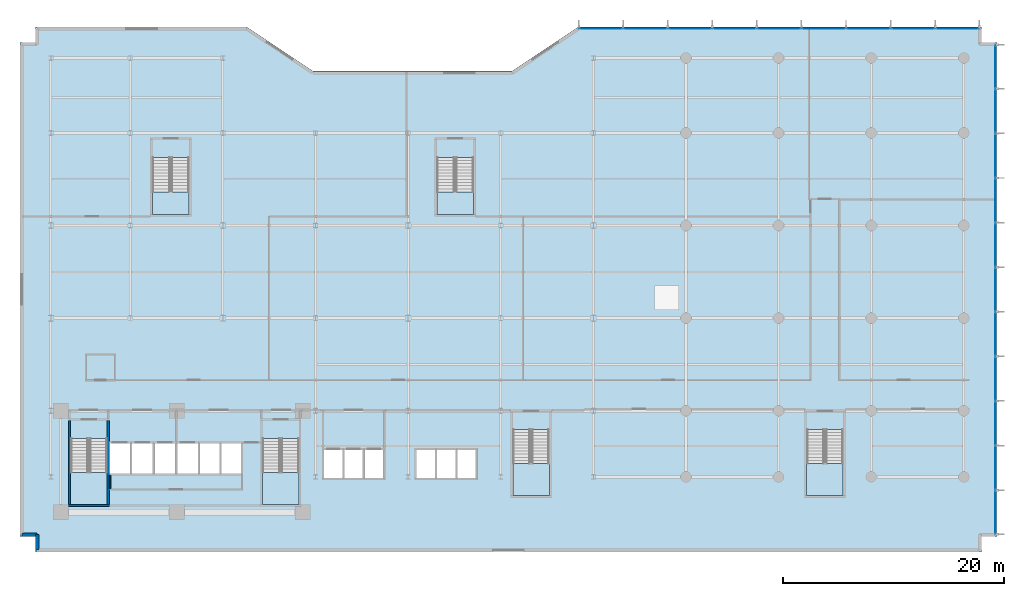
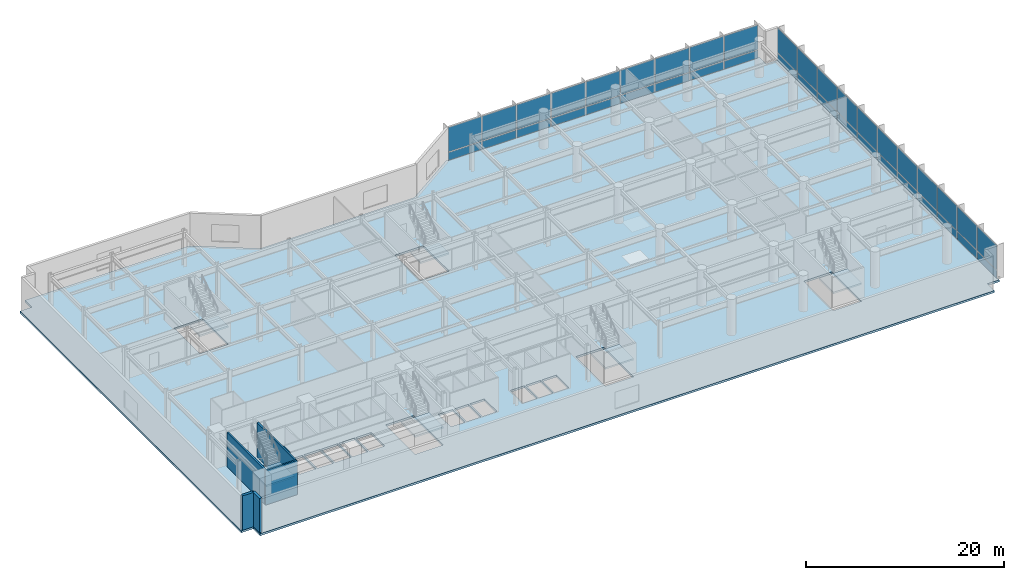
# One storey, part 13 of 26: 40 plates, 7 slabs, 6 walls, 8 elements without a shape of their own.
"""IFC4 building model written with IfcOpenShell, lengths in metres."""

from ifc_helpers import new_model, si_unit, direction, frame, frame_2d, origin, origin_2d, place, context, subcontext, project, spatial, polyline, rectangle, outline, extrude, material, layer, layer_set, type_object, element, aggregate, save


model = new_model("IFC4")

# Units and contexts
model_context = context("Model", 3, precision=1e-05, world=origin(), true_north=direction((0.0, 1.0)))
body_context = subcontext(model_context, "Body", "Model", "MODEL_VIEW")
ifc_project = project(units=[si_unit("LENGTHUNIT", "METRE"), si_unit("AREAUNIT", "SQUARE_METRE"), si_unit("VOLUMEUNIT", "CUBIC_METRE"), si_unit("PLANEANGLEUNIT", "RADIAN"), si_unit("MASSUNIT", "GRAM", prefix="KILO")], contexts=[model_context])

# Site, building, storey
site_placement = place(None, origin())
site = spatial("IfcSite", under=ifc_project, at=site_placement, CompositionType="ELEMENT")
building_placement = place(site_placement, origin())
building = spatial("IfcBuilding", under=site, at=building_placement, Name="Varnakote Quay Hospital", CompositionType="ELEMENT")
storey_placement = place(building_placement, frame((0.0, 0.0, 9.0)))
storey = spatial("IfcBuildingStorey", under=building, at=storey_placement, Name="L02", CompositionType="ELEMENT", Elevation=9.0)

# Curtain wall, plates
ifc_material_1 = material(Name="Anodised aluminium 6063-T6 Bronze", Category="aluminium")
ifc_layer_1 = layer(ifc_material_1, 0.175048828125)
ifc_layer_set_1 = layer_set([ifc_layer_1], Name="Anodised aluminium 6063-T6 Bronze")
curtain_wall_type = type_object("IfcCurtainWallType", Name="CW-SYS-1", PredefinedType="NOTDEFINED", material=ifc_layer_set_1)
curtain_wall_1_placement = place(storey_placement, origin())
curtain_wall_1 = element("IfcCurtainWall", 1, at=curtain_wall_1_placement, inside=storey, type_object=curtain_wall_type, Name="L02 Unitised Bronze Curtain Wall 1", PredefinedType="NOTDEFINED")
ifc_material_2 = material(Name="Double-glazed acoustic laminated glass", Category="glass")
ifc_layer_2 = layer(ifc_material_2, 0.031982421875)
ifc_layer_set_2 = layer_set([ifc_layer_2], Name="Double-glazed acoustic laminated glass")
plate_type = type_object("IfcPlateType", Name="CW-PNL-GLZ-32", PredefinedType="CURTAIN_PANEL", material=ifc_layer_set_2)
plate_1_placement = place(storey_placement, frame((86.840087890625, 2.802978515625, 0.0849609375), z_axis=(0.0, 0.0, 1.0), x_axis=(0.0, 1.0, 0.0)))
plate_1 = element("IfcPlate", 2, at=plate_1_placement, type_object=plate_type, Name="-1-L02-1 panel 1.1", PredefinedType="CURTAIN_PANEL", context=body_context, shape_type="SweptSolid", body=[
    extrude(rectangle(XDim=3.916015625, YDim=0.031982421875, at=origin_2d()), origin(), (0.0, 0.0, 1.0), 0.972412109375),
])
plate_2_placement = place(storey_placement, frame((86.840087890625, 2.802978515625, 1.142578125), z_axis=(0.0, 0.0, 1.0), x_axis=(0.0, 1.0, 0.0)))
plate_2 = element("IfcPlate", 3, at=plate_2_placement, type_object=plate_type, Name="-1-L02-1 panel 1.2", PredefinedType="CURTAIN_PANEL", context=body_context, shape_type="SweptSolid", body=[
    extrude(rectangle(XDim=3.916015625, YDim=0.031982421875, at=origin_2d()), origin(), (0.0, 0.0, 1.0), 3.0224609375),
])
plate_3_placement = place(storey_placement, frame((86.840087890625, 6.825439453125, 0.0849609375), z_axis=(0.0, 0.0, 1.0), x_axis=(0.0, 1.0, 0.0)))
plate_3 = element("IfcPlate", 4, at=plate_3_placement, type_object=plate_type, Name="-1-L02-1 panel 2.1", PredefinedType="CURTAIN_PANEL", context=body_context, shape_type="SweptSolid", body=[
    extrude(rectangle(XDim=3.958740234375, YDim=0.031982421875, at=origin_2d()), origin(), (0.0, 0.0, 1.0), 0.972412109375),
])
plate_4_placement = place(storey_placement, frame((86.840087890625, 6.825439453125, 1.142578125), z_axis=(0.0, 0.0, 1.0), x_axis=(0.0, 1.0, 0.0)))
plate_4 = element("IfcPlate", 5, at=plate_4_placement, type_object=plate_type, Name="-1-L02-1 panel 2.2", PredefinedType="CURTAIN_PANEL", context=body_context, shape_type="SweptSolid", body=[
    extrude(rectangle(XDim=3.958740234375, YDim=0.031982421875, at=origin_2d()), origin(), (0.0, 0.0, 1.0), 3.0224609375),
])
plate_5_placement = place(storey_placement, frame((86.840087890625, 10.869140625, 0.0849609375), z_axis=(0.0, 0.0, 1.0), x_axis=(0.0, 1.0, 0.0)))
plate_5 = element("IfcPlate", 6, at=plate_5_placement, type_object=plate_type, Name="-1-L02-1 panel 3.1", PredefinedType="CURTAIN_PANEL", context=body_context, shape_type="SweptSolid", body=[
    extrude(rectangle(XDim=3.958740234375, YDim=0.031982421875, at=origin_2d()), origin(), (0.0, 0.0, 1.0), 0.972412109375),
])
plate_6_placement = place(storey_placement, frame((86.840087890625, 10.869140625, 1.142578125), z_axis=(0.0, 0.0, 1.0), x_axis=(0.0, 1.0, 0.0)))
plate_6 = element("IfcPlate", 7, at=plate_6_placement, type_object=plate_type, Name="-1-L02-1 panel 3.2", PredefinedType="CURTAIN_PANEL", context=body_context, shape_type="SweptSolid", body=[
    extrude(rectangle(XDim=3.958740234375, YDim=0.031982421875, at=origin_2d()), origin(), (0.0, 0.0, 1.0), 3.0224609375),
])
plate_7_placement = place(storey_placement, frame((86.840087890625, 14.912841796875, 0.0849609375), z_axis=(0.0, 0.0, 1.0), x_axis=(0.0, 1.0, 0.0)))
plate_7 = element("IfcPlate", 8, at=plate_7_placement, type_object=plate_type, Name="-1-L02-1 panel 4.1", PredefinedType="CURTAIN_PANEL", context=body_context, shape_type="SweptSolid", body=[
    extrude(rectangle(XDim=3.958740234375, YDim=0.031982421875, at=origin_2d()), origin(), (0.0, 0.0, 1.0), 0.972412109375),
])
plate_8_placement = place(storey_placement, frame((86.840087890625, 14.912841796875, 1.142578125), z_axis=(0.0, 0.0, 1.0), x_axis=(0.0, 1.0, 0.0)))
plate_8 = element("IfcPlate", 9, at=plate_8_placement, type_object=plate_type, Name="-1-L02-1 panel 4.2", PredefinedType="CURTAIN_PANEL", context=body_context, shape_type="SweptSolid", body=[
    extrude(rectangle(XDim=3.958740234375, YDim=0.031982421875, at=origin_2d()), origin(), (0.0, 0.0, 1.0), 3.0224609375),
])
plate_9_placement = place(storey_placement, frame((86.840087890625, 18.956298828125, 0.0849609375), z_axis=(0.0, 0.0, 1.0), x_axis=(0.0, 1.0, 0.0)))
plate_9 = element("IfcPlate", 10, at=plate_9_placement, type_object=plate_type, Name="-1-L02-1 panel 5.1", PredefinedType="CURTAIN_PANEL", context=body_context, shape_type="SweptSolid", body=[
    extrude(rectangle(XDim=3.958740234375, YDim=0.031982421875, at=origin_2d()), origin(), (0.0, 0.0, 1.0), 0.972412109375),
])
plate_10_placement = place(storey_placement, frame((86.840087890625, 18.956298828125, 1.142578125), z_axis=(0.0, 0.0, 1.0), x_axis=(0.0, 1.0, 0.0)))
plate_10 = element("IfcPlate", 11, at=plate_10_placement, type_object=plate_type, Name="-1-L02-1 panel 5.2", PredefinedType="CURTAIN_PANEL", context=body_context, shape_type="SweptSolid", body=[
    extrude(rectangle(XDim=3.958740234375, YDim=0.031982421875, at=origin_2d()), origin(), (0.0, 0.0, 1.0), 3.0224609375),
])
plate_11_placement = place(storey_placement, frame((86.840087890625, 23.0, 0.0849609375), z_axis=(0.0, 0.0, 1.0), x_axis=(0.0, 1.0, 0.0)))
plate_11 = element("IfcPlate", 12, at=plate_11_placement, type_object=plate_type, Name="-1-L02-1 panel 6.1", PredefinedType="CURTAIN_PANEL", context=body_context, shape_type="SweptSolid", body=[
    extrude(rectangle(XDim=3.958740234375, YDim=0.031982421875, at=origin_2d()), origin(), (0.0, 0.0, 1.0), 0.972412109375),
])
plate_12_placement = place(storey_placement, frame((86.840087890625, 23.0, 1.142578125), z_axis=(0.0, 0.0, 1.0), x_axis=(0.0, 1.0, 0.0)))
plate_12 = element("IfcPlate", 13, at=plate_12_placement, type_object=plate_type, Name="-1-L02-1 panel 6.2", PredefinedType="CURTAIN_PANEL", context=body_context, shape_type="SweptSolid", body=[
    extrude(rectangle(XDim=3.958740234375, YDim=0.031982421875, at=origin_2d()), origin(), (0.0, 0.0, 1.0), 3.0224609375),
])
plate_13_placement = place(storey_placement, frame((86.840087890625, 27.043701171875, 0.0849609375), z_axis=(0.0, 0.0, 1.0), x_axis=(0.0, 1.0, 0.0)))
plate_13 = element("IfcPlate", 14, at=plate_13_placement, type_object=plate_type, Name="-1-L02-1 panel 7.1", PredefinedType="CURTAIN_PANEL", context=body_context, shape_type="SweptSolid", body=[
    extrude(rectangle(XDim=3.958740234375, YDim=0.031982421875, at=origin_2d()), origin(), (0.0, 0.0, 1.0), 0.972412109375),
])
plate_14_placement = place(storey_placement, frame((86.840087890625, 27.043701171875, 1.142578125), z_axis=(0.0, 0.0, 1.0), x_axis=(0.0, 1.0, 0.0)))
plate_14 = element("IfcPlate", 15, at=plate_14_placement, type_object=plate_type, Name="-1-L02-1 panel 7.2", PredefinedType="CURTAIN_PANEL", context=body_context, shape_type="SweptSolid", body=[
    extrude(rectangle(XDim=3.958740234375, YDim=0.031982421875, at=origin_2d()), origin(), (0.0, 0.0, 1.0), 3.0224609375),
])
plate_15_placement = place(storey_placement, frame((86.840087890625, 31.087158203125, 0.0849609375), z_axis=(0.0, 0.0, 1.0), x_axis=(0.0, 1.0, 0.0)))
plate_15 = element("IfcPlate", 16, at=plate_15_placement, type_object=plate_type, Name="-1-L02-1 panel 8.1", PredefinedType="CURTAIN_PANEL", context=body_context, shape_type="SweptSolid", body=[
    extrude(rectangle(XDim=3.958740234375, YDim=0.031982421875, at=origin_2d()), origin(), (0.0, 0.0, 1.0), 0.972412109375),
])
plate_16_placement = place(storey_placement, frame((86.840087890625, 31.087158203125, 1.142578125), z_axis=(0.0, 0.0, 1.0), x_axis=(0.0, 1.0, 0.0)))
plate_16 = element("IfcPlate", 17, at=plate_16_placement, type_object=plate_type, Name="-1-L02-1 panel 8.2", PredefinedType="CURTAIN_PANEL", context=body_context, shape_type="SweptSolid", body=[
    extrude(rectangle(XDim=3.958740234375, YDim=0.031982421875, at=origin_2d()), origin(), (0.0, 0.0, 1.0), 3.0224609375),
])
plate_17_placement = place(storey_placement, frame((86.840087890625, 35.130859375, 0.0849609375), z_axis=(0.0, 0.0, 1.0), x_axis=(0.0, 1.0, 0.0)))
plate_17 = element("IfcPlate", 18, at=plate_17_placement, type_object=plate_type, Name="-1-L02-1 panel 9.1", PredefinedType="CURTAIN_PANEL", context=body_context, shape_type="SweptSolid", body=[
    extrude(rectangle(XDim=3.958740234375, YDim=0.031982421875, at=origin_2d()), origin(), (0.0, 0.0, 1.0), 0.972412109375),
])
plate_18_placement = place(storey_placement, frame((86.840087890625, 35.130859375, 1.142578125), z_axis=(0.0, 0.0, 1.0), x_axis=(0.0, 1.0, 0.0)))
plate_18 = element("IfcPlate", 19, at=plate_18_placement, type_object=plate_type, Name="-1-L02-1 panel 9.2", PredefinedType="CURTAIN_PANEL", context=body_context, shape_type="SweptSolid", body=[
    extrude(rectangle(XDim=3.958740234375, YDim=0.031982421875, at=origin_2d()), origin(), (0.0, 0.0, 1.0), 3.0224609375),
])
plate_19_placement = place(storey_placement, frame((86.840087890625, 39.174560546875, 0.0849609375), z_axis=(0.0, 0.0, 1.0), x_axis=(0.0, 1.0, 0.0)))
plate_19 = element("IfcPlate", 20, at=plate_19_placement, type_object=plate_type, Name="-1-L02-1 panel 10.1", PredefinedType="CURTAIN_PANEL", context=body_context, shape_type="SweptSolid", body=[
    extrude(rectangle(XDim=3.958740234375, YDim=0.031982421875, at=origin_2d()), origin(), (0.0, 0.0, 1.0), 0.972412109375),
])
plate_20_placement = place(storey_placement, frame((86.840087890625, 39.174560546875, 1.142578125), z_axis=(0.0, 0.0, 1.0), x_axis=(0.0, 1.0, 0.0)))
plate_20 = element("IfcPlate", 21, at=plate_20_placement, type_object=plate_type, Name="-1-L02-1 panel 10.2", PredefinedType="CURTAIN_PANEL", context=body_context, shape_type="SweptSolid", body=[
    extrude(rectangle(XDim=3.958740234375, YDim=0.031982421875, at=origin_2d()), origin(), (0.0, 0.0, 1.0), 3.0224609375),
])
plate_21_placement = place(storey_placement, frame((86.840087890625, 43.197021484375, 0.0849609375), z_axis=(0.0, 0.0, 1.0), x_axis=(0.0, 1.0, 0.0)))
plate_21 = element("IfcPlate", 22, at=plate_21_placement, type_object=plate_type, Name="-1-L02-1 panel 11.1", PredefinedType="CURTAIN_PANEL", context=body_context, shape_type="SweptSolid", body=[
    extrude(rectangle(XDim=3.916015625, YDim=0.031982421875, at=origin_2d()), origin(), (0.0, 0.0, 1.0), 0.972412109375),
])
plate_22_placement = place(storey_placement, frame((86.840087890625, 43.197021484375, 1.142578125), z_axis=(0.0, 0.0, 1.0), x_axis=(0.0, 1.0, 0.0)))
plate_22 = element("IfcPlate", 23, at=plate_22_placement, type_object=plate_type, Name="-1-L02-1 panel 11.2", PredefinedType="CURTAIN_PANEL", context=body_context, shape_type="SweptSolid", body=[
    extrude(rectangle(XDim=3.916015625, YDim=0.031982421875, at=origin_2d()), origin(), (0.0, 0.0, 1.0), 3.0224609375),
])
aggregate(curtain_wall_1, [plate_1, plate_2, plate_3, plate_4, plate_5, plate_6, plate_7, plate_8, plate_9, plate_10, plate_11, plate_12, plate_13, plate_14, plate_15, plate_16, plate_17, plate_18, plate_19, plate_20, plate_21, plate_22])

curtain_wall_2_placement = place(storey_placement, origin())
curtain_wall_2 = element("IfcCurtainWall", 24, at=curtain_wall_2_placement, inside=storey, type_object=curtain_wall_type, Name="L02 Unitised Bronze Curtain Wall 2", PredefinedType="NOTDEFINED")
plate_23_placement = place(storey_placement, frame((83.39697265625, 46.639892578125, 0.0849609375), z_axis=(0.0, 0.0, 1.0), x_axis=(-1.0, 0.0, 0.0)))
plate_23 = element("IfcPlate", 25, at=plate_23_placement, type_object=plate_type, Name="-1-L02-2 panel 1.1", PredefinedType="CURTAIN_PANEL", context=body_context, shape_type="SweptSolid", body=[
    extrude(rectangle(XDim=3.916015625, YDim=0.031982421875, at=origin_2d()), origin(), (0.0, 0.0, 1.0), 0.972412109375),
])
plate_24_placement = place(storey_placement, frame((83.39697265625, 46.639892578125, 1.142578125), z_axis=(0.0, 0.0, 1.0), x_axis=(-1.0, 0.0, 0.0)))
plate_24 = element("IfcPlate", 26, at=plate_24_placement, type_object=plate_type, Name="-1-L02-2 panel 1.2", PredefinedType="CURTAIN_PANEL", context=body_context, shape_type="SweptSolid", body=[
    extrude(rectangle(XDim=3.916015625, YDim=0.031982421875, at=origin_2d()), origin(), (0.0, 0.0, 1.0), 3.0224609375),
])
plate_25_placement = place(storey_placement, frame((79.374755859375, 46.639892578125, 0.0849609375), z_axis=(0.0, 0.0, 1.0), x_axis=(-1.0, 0.0, 0.0)))
plate_25 = element("IfcPlate", 27, at=plate_25_placement, type_object=plate_type, Name="-1-L02-2 panel 2.1", PredefinedType="CURTAIN_PANEL", context=body_context, shape_type="SweptSolid", body=[
    extrude(rectangle(XDim=3.95849609375, YDim=0.031982421875, at=origin_2d()), origin(), (0.0, 0.0, 1.0), 0.972412109375),
])
plate_26_placement = place(storey_placement, frame((79.374755859375, 46.639892578125, 1.142578125), z_axis=(0.0, 0.0, 1.0), x_axis=(-1.0, 0.0, 0.0)))
plate_26 = element("IfcPlate", 28, at=plate_26_placement, type_object=plate_type, Name="-1-L02-2 panel 2.2", PredefinedType="CURTAIN_PANEL", context=body_context, shape_type="SweptSolid", body=[
    extrude(rectangle(XDim=3.95849609375, YDim=0.031982421875, at=origin_2d()), origin(), (0.0, 0.0, 1.0), 3.0224609375),
])
plate_27_placement = place(storey_placement, frame((75.331298828125, 46.639892578125, 0.0849609375), z_axis=(0.0, 0.0, 1.0), x_axis=(-1.0, 0.0, 0.0)))
plate_27 = element("IfcPlate", 29, at=plate_27_placement, type_object=plate_type, Name="-1-L02-2 panel 3.1", PredefinedType="CURTAIN_PANEL", context=body_context, shape_type="SweptSolid", body=[
    extrude(rectangle(XDim=3.95849609375, YDim=0.031982421875, at=origin_2d()), origin(), (0.0, 0.0, 1.0), 0.972412109375),
])
plate_28_placement = place(storey_placement, frame((75.331298828125, 46.639892578125, 1.142578125), z_axis=(0.0, 0.0, 1.0), x_axis=(-1.0, 0.0, 0.0)))
plate_28 = element("IfcPlate", 30, at=plate_28_placement, type_object=plate_type, Name="-1-L02-2 panel 3.2", PredefinedType="CURTAIN_PANEL", context=body_context, shape_type="SweptSolid", body=[
    extrude(rectangle(XDim=3.95849609375, YDim=0.031982421875, at=origin_2d()), origin(), (0.0, 0.0, 1.0), 3.0224609375),
])
plate_29_placement = place(storey_placement, frame((71.28759765625, 46.639892578125, 0.0849609375), z_axis=(0.0, 0.0, 1.0), x_axis=(-1.0, 0.0, 0.0)))
plate_29 = element("IfcPlate", 31, at=plate_29_placement, type_object=plate_type, Name="-1-L02-2 panel 4.1", PredefinedType="CURTAIN_PANEL", context=body_context, shape_type="SweptSolid", body=[
    extrude(rectangle(XDim=3.95849609375, YDim=0.031982421875, at=origin_2d()), origin(), (0.0, 0.0, 1.0), 0.972412109375),
])
plate_30_placement = place(storey_placement, frame((71.28759765625, 46.639892578125, 1.142578125), z_axis=(0.0, 0.0, 1.0), x_axis=(-1.0, 0.0, 0.0)))
plate_30 = element("IfcPlate", 32, at=plate_30_placement, type_object=plate_type, Name="-1-L02-2 panel 4.2", PredefinedType="CURTAIN_PANEL", context=body_context, shape_type="SweptSolid", body=[
    extrude(rectangle(XDim=3.95849609375, YDim=0.031982421875, at=origin_2d()), origin(), (0.0, 0.0, 1.0), 3.0224609375),
])
plate_31_placement = place(storey_placement, frame((67.244140625, 46.639892578125, 0.0849609375), z_axis=(0.0, 0.0, 1.0), x_axis=(-1.0, 0.0, 0.0)))
plate_31 = element("IfcPlate", 33, at=plate_31_placement, type_object=plate_type, Name="-1-L02-2 panel 5.1", PredefinedType="CURTAIN_PANEL", context=body_context, shape_type="SweptSolid", body=[
    extrude(rectangle(XDim=3.95849609375, YDim=0.031982421875, at=origin_2d()), origin(), (0.0, 0.0, 1.0), 0.972412109375),
])
plate_32_placement = place(storey_placement, frame((67.244140625, 46.639892578125, 1.142578125), z_axis=(0.0, 0.0, 1.0), x_axis=(-1.0, 0.0, 0.0)))
plate_32 = element("IfcPlate", 34, at=plate_32_placement, type_object=plate_type, Name="-1-L02-2 panel 5.2", PredefinedType="CURTAIN_PANEL", context=body_context, shape_type="SweptSolid", body=[
    extrude(rectangle(XDim=3.95849609375, YDim=0.031982421875, at=origin_2d()), origin(), (0.0, 0.0, 1.0), 3.0224609375),
])
plate_33_placement = place(storey_placement, frame((63.20068359375, 46.639892578125, 0.0849609375), z_axis=(0.0, 0.0, 1.0), x_axis=(-1.0, 0.0, 0.0)))
plate_33 = element("IfcPlate", 35, at=plate_33_placement, type_object=plate_type, Name="-1-L02-2 panel 6.1", PredefinedType="CURTAIN_PANEL", context=body_context, shape_type="SweptSolid", body=[
    extrude(rectangle(XDim=3.95849609375, YDim=0.031982421875, at=origin_2d()), origin(), (0.0, 0.0, 1.0), 0.972412109375),
])
plate_34_placement = place(storey_placement, frame((63.20068359375, 46.639892578125, 1.142578125), z_axis=(0.0, 0.0, 1.0), x_axis=(-1.0, 0.0, 0.0)))
plate_34 = element("IfcPlate", 36, at=plate_34_placement, type_object=plate_type, Name="-1-L02-2 panel 6.2", PredefinedType="CURTAIN_PANEL", context=body_context, shape_type="SweptSolid", body=[
    extrude(rectangle(XDim=3.95849609375, YDim=0.031982421875, at=origin_2d()), origin(), (0.0, 0.0, 1.0), 3.0224609375),
])
plate_35_placement = place(storey_placement, frame((59.1572265625, 46.639892578125, 0.0849609375), z_axis=(0.0, 0.0, 1.0), x_axis=(-1.0, 0.0, 0.0)))
plate_35 = element("IfcPlate", 37, at=plate_35_placement, type_object=plate_type, Name="-1-L02-2 panel 7.1", PredefinedType="CURTAIN_PANEL", context=body_context, shape_type="SweptSolid", body=[
    extrude(rectangle(XDim=3.95849609375, YDim=0.031982421875, at=origin_2d()), origin(), (0.0, 0.0, 1.0), 0.972412109375),
])
plate_36_placement = place(storey_placement, frame((59.1572265625, 46.639892578125, 1.142578125), z_axis=(0.0, 0.0, 1.0), x_axis=(-1.0, 0.0, 0.0)))
plate_36 = element("IfcPlate", 38, at=plate_36_placement, type_object=plate_type, Name="-1-L02-2 panel 7.2", PredefinedType="CURTAIN_PANEL", context=body_context, shape_type="SweptSolid", body=[
    extrude(rectangle(XDim=3.95849609375, YDim=0.031982421875, at=origin_2d()), origin(), (0.0, 0.0, 1.0), 3.0224609375),
])
plate_37_placement = place(storey_placement, frame((55.11376953125, 46.639892578125, 0.0849609375), z_axis=(0.0, 0.0, 1.0), x_axis=(-1.0, 0.0, 0.0)))
plate_37 = element("IfcPlate", 39, at=plate_37_placement, type_object=plate_type, Name="-1-L02-2 panel 8.1", PredefinedType="CURTAIN_PANEL", context=body_context, shape_type="SweptSolid", body=[
    extrude(rectangle(XDim=3.95849609375, YDim=0.031982421875, at=origin_2d()), origin(), (0.0, 0.0, 1.0), 0.972412109375),
])
plate_38_placement = place(storey_placement, frame((55.11376953125, 46.639892578125, 1.142578125), z_axis=(0.0, 0.0, 1.0), x_axis=(-1.0, 0.0, 0.0)))
plate_38 = element("IfcPlate", 40, at=plate_38_placement, type_object=plate_type, Name="-1-L02-2 panel 8.2", PredefinedType="CURTAIN_PANEL", context=body_context, shape_type="SweptSolid", body=[
    extrude(rectangle(XDim=3.95849609375, YDim=0.031982421875, at=origin_2d()), origin(), (0.0, 0.0, 1.0), 3.0224609375),
])
plate_39_placement = place(storey_placement, frame((51.09130859375, 46.639892578125, 0.0849609375), z_axis=(0.0, 0.0, 1.0), x_axis=(-1.0, 0.0, 0.0)))
plate_39 = element("IfcPlate", 41, at=plate_39_placement, type_object=plate_type, Name="-1-L02-2 panel 9.1", PredefinedType="CURTAIN_PANEL", context=body_context, shape_type="SweptSolid", body=[
    extrude(rectangle(XDim=3.916015625, YDim=0.031982421875, at=origin_2d()), origin(), (0.0, 0.0, 1.0), 0.972412109375),
])
plate_40_placement = place(storey_placement, frame((51.09130859375, 46.639892578125, 1.142578125), z_axis=(0.0, 0.0, 1.0), x_axis=(-1.0, 0.0, 0.0)))
plate_40 = element("IfcPlate", 42, at=plate_40_placement, type_object=plate_type, Name="-1-L02-2 panel 9.2", PredefinedType="CURTAIN_PANEL", context=body_context, shape_type="SweptSolid", body=[
    extrude(rectangle(XDim=3.916015625, YDim=0.031982421875, at=origin_2d()), origin(), (0.0, 0.0, 1.0), 3.0224609375),
])
aggregate(curtain_wall_2, [plate_23, plate_24, plate_25, plate_26, plate_27, plate_28, plate_29, plate_30, plate_31, plate_32, plate_33, plate_34, plate_35, plate_36, plate_37, plate_38, plate_39, plate_40])

# Slab
ifc_material_3 = material(Name="Concrete N50 (f'c 50 MPa)", Category="concrete")
ifc_layer_3 = layer(ifc_material_3, 0.25)
ifc_layer_set_3 = layer_set([ifc_layer_3], Name="Concrete N50 (f'c 50 MPa)")
slab_type_1 = type_object("IfcSlabType", Name="SLB-POD-250", PredefinedType="FLOOR", material=ifc_layer_set_3)
slab_1_placement = place(storey_placement, frame((0.0, 0.0, -0.25)))
element("IfcSlab", 43, at=slab_1_placement, inside=storey, type_object=slab_type_1, Name="L02 Primary Floor Slab", PredefinedType="FLOOR", context=body_context, shape_type="SweptSolid", body=[
    extrude(outline(polyline([(-1.60009765625, 0.60009765625), (-0.199951171875, 0.60009765625), (-0.199951171875, -0.800048828125), (85.60009765625, -0.800048828125), (85.60009765625, 0.60009765625), (87.0, 0.60009765625), (87.0, 45.39990234375), (85.60009765625, 45.39990234375), (85.60009765625, 46.800048828125), (49.0, 46.800048828125), (43.0, 42.800048828125), (25.0, 42.800048828125), (19.0, 46.800048828125), (-0.199951171875, 46.800048828125), (-0.199951171875, 45.39990234375), (-1.60009765625, 45.39990234375), (-1.60009765625, 0.60009765625)]), holes=[polyline([(3.0, 3.5), (6.300048828125, 3.5), (6.300048828125, 9.49951171875), (3.0, 9.49951171875), (3.0, 3.5)]), polyline([(20.39990234375, 3.5), (23.699951171875, 3.5), (23.699951171875, 9.49951171875), (20.39990234375, 9.49951171875), (20.39990234375, 3.5)]), polyline([(43.10009765625, 4.300048828125), (46.39990234375, 4.300048828125), (46.39990234375, 10.29931640625), (43.10009765625, 10.29931640625), (43.10009765625, 4.300048828125)]), polyline([(10.39990234375, 29.800048828125), (13.739990234375, 29.800048828125), (13.739990234375, 34.9794921875), (10.39990234375, 34.9794921875), (10.39990234375, 29.800048828125)]), polyline([(36.199951171875, 29.800048828125), (39.5400390625, 29.800048828125), (39.5400390625, 34.9794921875), (36.199951171875, 34.9794921875), (36.199951171875, 29.800048828125)]), polyline([(69.75, 4.300048828125), (73.050048828125, 4.300048828125), (73.050048828125, 10.29931640625), (69.75, 10.29931640625), (69.75, 4.300048828125)]), polyline([(6.5, 6.300048828125), (8.39990234375, 6.300048828125), (8.39990234375, 9.050048828125), (6.5, 9.050048828125), (6.5, 6.300048828125)]), polyline([(8.550048828125, 6.300048828125), (10.449951171875, 6.300048828125), (10.449951171875, 9.050048828125), (8.550048828125, 9.050048828125), (8.550048828125, 6.300048828125)]), polyline([(10.60009765625, 6.300048828125), (12.5, 6.300048828125), (12.5, 9.050048828125), (10.60009765625, 9.050048828125), (10.60009765625, 6.300048828125)]), polyline([(12.64990234375, 6.300048828125), (14.550048828125, 6.300048828125), (14.550048828125, 9.050048828125), (12.64990234375, 9.050048828125), (12.64990234375, 6.300048828125)]), polyline([(14.699951171875, 6.300048828125), (16.5, 6.300048828125), (16.5, 9.050048828125), (14.699951171875, 9.050048828125), (14.699951171875, 6.300048828125)]), polyline([(16.64990234375, 6.300048828125), (18.449951171875, 6.300048828125), (18.449951171875, 9.050048828125), (16.64990234375, 9.050048828125), (16.64990234375, 6.300048828125)]), polyline([(25.949951171875, 5.89990234375), (27.64990234375, 5.89990234375), (27.64990234375, 8.449951171875), (25.949951171875, 8.449951171875), (25.949951171875, 5.89990234375)]), polyline([(27.800048828125, 5.89990234375), (29.5, 5.89990234375), (29.5, 8.449951171875), (27.800048828125, 8.449951171875), (27.800048828125, 5.89990234375)]), polyline([(29.64990234375, 5.89990234375), (31.35009765625, 5.89990234375), (31.35009765625, 8.449951171875), (29.64990234375, 8.449951171875), (29.64990234375, 5.89990234375)]), polyline([(34.35009765625, 5.89990234375), (36.050048828125, 5.89990234375), (36.050048828125, 8.449951171875), (34.35009765625, 8.449951171875), (34.35009765625, 5.89990234375)]), polyline([(36.199951171875, 5.89990234375), (37.89990234375, 5.89990234375), (37.89990234375, 8.449951171875), (36.199951171875, 8.449951171875), (36.199951171875, 5.89990234375)]), polyline([(38.050048828125, 5.89990234375), (39.75, 5.89990234375), (39.75, 8.449951171875), (38.050048828125, 8.449951171875), (38.050048828125, 5.89990234375)])]), origin(), (0.0, 0.0, 1.0), 0.25),
])

# Stair, slab
ifc_material_4 = material(Name="Concrete N40 (f'c 40 MPa)", Category="concrete")
stair_type_1 = type_object("IfcStairType", Name="STR-CORE-1580", PredefinedType="HALF_TURN_STAIR", material=ifc_material_4)
stair_1_placement = place(storey_placement, origin())
stair_1 = element("IfcStair", 44, at=stair_1_placement, inside=storey, type_object=stair_type_1, Name="L02 Fire-Isolated Exit Stair ST-01", PredefinedType="HALF_TURN_STAIR")
ifc_material_5 = material(Name="Concrete N40 (f'c 40 MPa)", Category="concrete")
ifc_layer_4 = layer(ifc_material_5, 0.199951171875)
ifc_layer_set_4 = layer_set([ifc_layer_4], Name="Concrete N40 (f'c 40 MPa)")
slab_type_2 = type_object("IfcSlabType", Name="SLB-STAIR-LND-200", PredefinedType="LANDING", material=ifc_layer_set_4)
slab_2_placement = place(storey_placement, frame((0.0, 0.0, 2.050048828125)))
slab_2 = element("IfcSlab", 45, at=slab_2_placement, type_object=slab_type_2, Name="ST-01 landing 1", PredefinedType="LANDING", context=body_context, shape_type="SweptSolid", body=[
    extrude(outline(polyline([(3.0, 6.419921875), (3.0, 3.5), (6.300048828125, 3.5), (6.300048828125, 6.419921875), (3.0, 6.419921875)])), origin(), (0.0, 0.0, 1.0), 0.199951171875),
])
aggregate(stair_1, [slab_2])

stair_2_placement = place(storey_placement, origin())
stair_2 = element("IfcStair", 46, at=stair_2_placement, inside=storey, type_object=stair_type_1, Name="L02 Fire-Isolated Exit Stair ST-02", PredefinedType="HALF_TURN_STAIR")
slab_3_placement = place(storey_placement, frame((0.0, 0.0, 2.050048828125)))
slab_3 = element("IfcSlab", 47, at=slab_3_placement, type_object=slab_type_2, Name="ST-02 landing 1", PredefinedType="LANDING", context=body_context, shape_type="SweptSolid", body=[
    extrude(outline(polyline([(20.39990234375, 6.419921875), (20.39990234375, 3.5), (23.699951171875, 3.5), (23.699951171875, 6.419921875), (20.39990234375, 6.419921875)])), origin(), (0.0, 0.0, 1.0), 0.199951171875),
])
aggregate(stair_2, [slab_3])

stair_3_placement = place(storey_placement, origin())
stair_3 = element("IfcStair", 48, at=stair_3_placement, inside=storey, type_object=stair_type_1, Name="L02 Fire-Isolated Exit Stair ST-03", PredefinedType="HALF_TURN_STAIR")
slab_4_placement = place(storey_placement, frame((0.0, 0.0, 2.050048828125)))
slab_4 = element("IfcSlab", 49, at=slab_4_placement, type_object=slab_type_2, Name="ST-03 landing 1", PredefinedType="LANDING", context=body_context, shape_type="SweptSolid", body=[
    extrude(outline(polyline([(43.10009765625, 7.219970703125), (43.10009765625, 4.300048828125), (46.39990234375, 4.300048828125), (46.39990234375, 7.219970703125), (43.10009765625, 7.219970703125)])), origin(), (0.0, 0.0, 1.0), 0.199951171875),
])
aggregate(stair_3, [slab_4])

ifc_material_6 = material(Name="Concrete N40 (f'c 40 MPa)", Category="concrete")
stair_type_2 = type_object("IfcStairType", Name="STR-POD-1600", PredefinedType="HALF_TURN_STAIR", material=ifc_material_6)
stair_4_placement = place(storey_placement, origin())
stair_4 = element("IfcStair", 50, at=stair_4_placement, inside=storey, type_object=stair_type_2, Name="L02 Podium Diagnostic Stair ST-04", PredefinedType="HALF_TURN_STAIR")
slab_5_placement = place(storey_placement, frame((0.0, 0.0, 2.050048828125)))
slab_5 = element("IfcSlab", 51, at=slab_5_placement, type_object=slab_type_2, Name="ST-04 landing 1", PredefinedType="LANDING", context=body_context, shape_type="SweptSolid", body=[
    extrude(outline(polyline([(10.39990234375, 31.844970703125), (10.39990234375, 29.800048828125), (13.739990234375, 29.800048828125), (13.739990234375, 31.844970703125), (10.39990234375, 31.844970703125)])), origin(), (0.0, 0.0, 1.0), 0.199951171875),
])
aggregate(stair_4, [slab_5])

stair_5_placement = place(storey_placement, origin())
stair_5 = element("IfcStair", 52, at=stair_5_placement, inside=storey, type_object=stair_type_2, Name="L02 Podium Surgical Stair ST-05", PredefinedType="HALF_TURN_STAIR")
slab_6_placement = place(storey_placement, frame((0.0, 0.0, 2.050048828125)))
slab_6 = element("IfcSlab", 53, at=slab_6_placement, type_object=slab_type_2, Name="ST-05 landing 1", PredefinedType="LANDING", context=body_context, shape_type="SweptSolid", body=[
    extrude(outline(polyline([(36.199951171875, 31.844970703125), (36.199951171875, 29.800048828125), (39.5400390625, 29.800048828125), (39.5400390625, 31.844970703125), (36.199951171875, 31.844970703125)])), origin(), (0.0, 0.0, 1.0), 0.199951171875),
])
aggregate(stair_5, [slab_6])

stair_6_placement = place(storey_placement, origin())
stair_6 = element("IfcStair", 54, at=stair_6_placement, inside=storey, type_object=stair_type_1, Name="L02 East Podium Fire-Isolated Exit Stair ST-06", PredefinedType="HALF_TURN_STAIR")
slab_7_placement = place(storey_placement, frame((0.0, 0.0, 2.050048828125)))
slab_7 = element("IfcSlab", 55, at=slab_7_placement, type_object=slab_type_2, Name="ST-06 landing 1", PredefinedType="LANDING", context=body_context, shape_type="SweptSolid", body=[
    extrude(outline(polyline([(69.75, 7.219970703125), (69.75, 4.300048828125), (73.050048828125, 4.300048828125), (73.050048828125, 7.219970703125), (69.75, 7.219970703125)])), origin(), (0.0, 0.0, 1.0), 0.199951171875),
])
aggregate(stair_6, [slab_7])

# Walls
ifc_material_7 = material(Name="Precast concrete N50 (f'c 50 MPa)", Category="concrete")
ifc_layer_5 = layer(ifc_material_7, 0.300048828125)
ifc_layer_set_5 = layer_set([ifc_layer_5], Name="Precast concrete N50 (f'c 50 MPa)")
wall_type_1 = type_object("IfcWallType", Name="WL-EXT-BRICK-300", PredefinedType="STANDARD", material=ifc_layer_set_5)
for number, where, z_axis, x_axis, name in (
    (56, (-0.0400390625, 0.760009765625, 0.0), (0.0, 0.0, 1.0), (0.0, -1.0, 0.0), "L02 Brick-Faced Precast Exterior Wall"),
    (57, (-1.43994140625, 0.760009765625, 0.0), (0.0, 0.0, 1.0), (1.0, 0.0, 0.0), "L02 Brick-Faced Precast Exterior Wall"),
):
    element("IfcWall", number, at=place(storey_placement, frame(where, z_axis=z_axis, x_axis=x_axis)), inside=storey, type_object=wall_type_1, Name=name, PredefinedType="STANDARD", context=body_context, shape_type="SweptSolid", body=[
        extrude(rectangle(XDim=1.39990234375, YDim=0.300048828125, at=frame_2d((0.699951171875, 0.0))), origin(), (0.0, 0.0, 1.0), 4.25),
    ])
ifc_material_8 = material(Name="Concrete N50 (f'c 50 MPa)", Category="concrete")
ifc_layer_6 = layer(ifc_material_8, 0.199951171875)
ifc_layer_set_6 = layer_set([ifc_layer_6], Name="Concrete N50 (f'c 50 MPa)")
wall_type_2 = type_object("IfcWallType", Name="WL-SHAFT-N50-200", PredefinedType="SHEAR", material=ifc_layer_set_6)
wall_1_placement = place(storey_placement, frame((2.800048828125, 3.39990234375, 0.0), z_axis=(0.0, 0.0, 1.0), x_axis=(1.0, 0.0, 0.0)))
element("IfcWall", 58, at=wall_1_placement, inside=storey, type_object=wall_type_2, Name="L02 Stair ST1 South Shaft Wall", PredefinedType="SHEAR", context=body_context, shape_type="SweptSolid", body=[
    extrude(rectangle(XDim=3.699951171875, YDim=0.199951171875, at=frame_2d((1.85009765625, 0.0))), origin(), (0.0, 0.0, 1.0), 4.25),
])
for number, where, z_axis, x_axis, name in (
    (59, (2.89990234375, 3.5, 0.0), (0.0, 0.0, 1.0), (0.0, 1.0, 0.0), "L02 Stair ST1 West Shaft Wall"),
    (60, (6.39990234375, 3.5, 0.0), (0.0, 0.0, 1.0), (0.0, 1.0, 0.0), "L02 Stair ST1 East Shaft Wall"),
):
    element("IfcWall", number, at=place(storey_placement, frame(where, z_axis=z_axis, x_axis=x_axis)), inside=storey, type_object=wall_type_2, Name=name, PredefinedType="SHEAR", context=body_context, shape_type="SweptSolid", body=[
        extrude(rectangle(XDim=7.60009765625, YDim=0.199951171875, at=frame_2d((3.800048828125, 0.0))), origin(), (0.0, 0.0, 1.0), 4.25),
    ])
ifc_material_9 = material(Name="Smoke-proof clinical partition", Category="gypsum")
ifc_layer_7 = layer(ifc_material_9, 0.1201171875)
ifc_layer_set_7 = layer_set([ifc_layer_7], Name="Smoke-proof clinical partition")
wall_type_3 = type_object("IfcWallType", Name="WL-SMOKE-120", PredefinedType="PARTITIONING", material=ifc_layer_set_7)
wall_2_placement = place(storey_placement, frame((6.56005859375, 4.919921875, 0.0), z_axis=(0.0, 0.0, 1.0), x_axis=(0.0, 1.0, 0.0)))
element("IfcWall", 61, at=wall_2_placement, inside=storey, type_object=wall_type_3, Name="L02 Core Service Strip West Wall", PredefinedType="PARTITIONING", context=body_context, shape_type="SweptSolid", body=[
    extrude(rectangle(XDim=1.219970703125, YDim=0.1201171875, at=frame_2d((0.60986328125, 0.0))), origin(), (0.0, 0.0, 1.0), 4.25),
])

save(model, "model.ifc")
